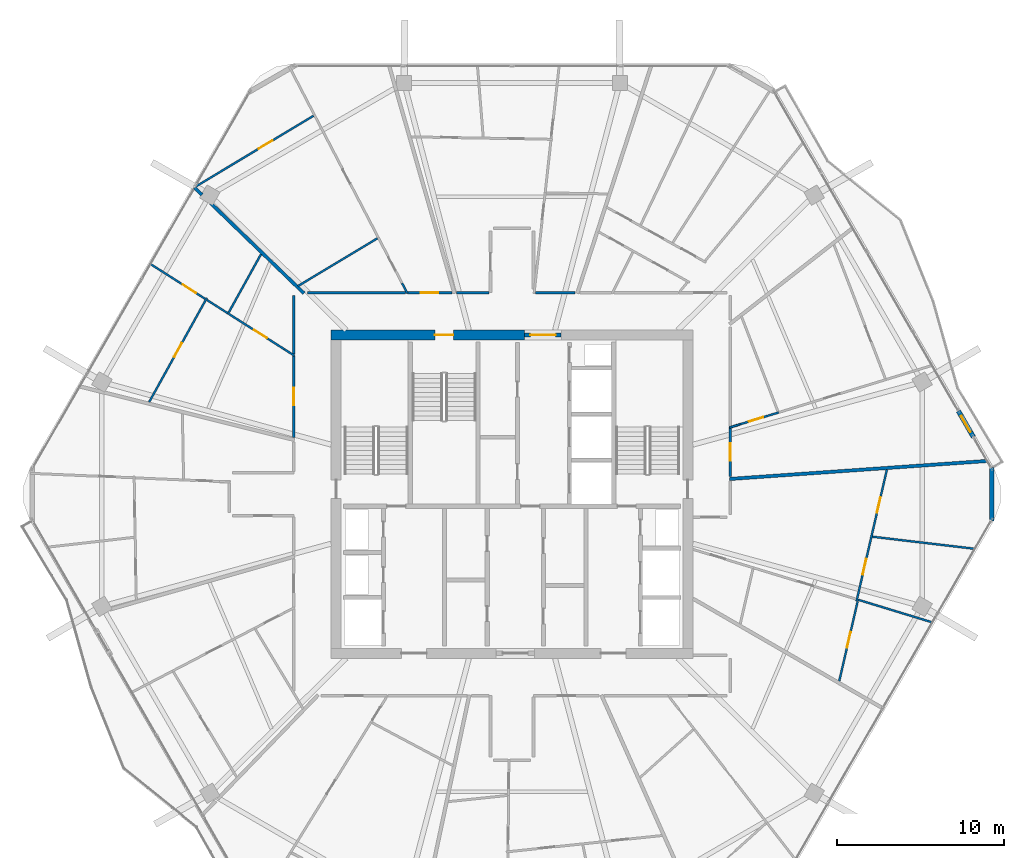
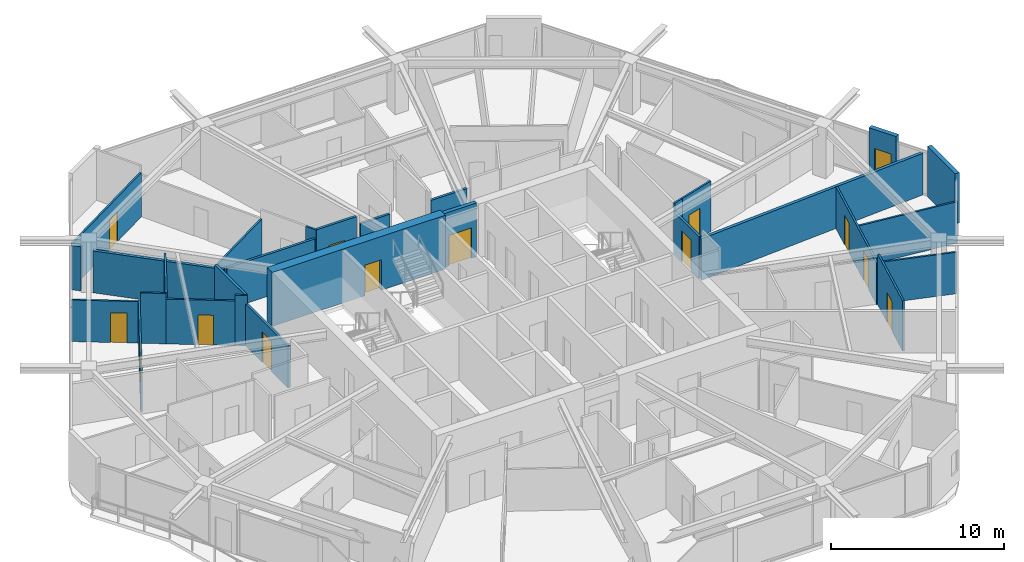
# One storey, part 21 of 26: 29 walls, 14 doors, 14 openings.
"""IFC4 building model written with IfcOpenShell, lengths in metres."""

from ifc_helpers import new_model, si_unit, direction, frame, frame_2d, origin, place, context, subcontext, project, spatial, rectangle, extrude, material, layer, layer_set, type_object, element, fill, save


model = new_model("IFC4")

# Units and contexts
model_context = context("Model", 3, precision=1e-05, world=origin(), true_north=direction((0.0, 1.0)))
body_context = subcontext(model_context, "Body", "Model", "MODEL_VIEW")
ifc_project = project(units=[si_unit("LENGTHUNIT", "METRE"), si_unit("AREAUNIT", "SQUARE_METRE"), si_unit("VOLUMEUNIT", "CUBIC_METRE"), si_unit("PLANEANGLEUNIT", "RADIAN"), si_unit("MASSUNIT", "GRAM", prefix="KILO")], contexts=[model_context])

# Site, building, storey
site_placement = place(None, origin())
site = spatial("IfcSite", under=ifc_project, at=site_placement, CompositionType="ELEMENT")
building_placement = place(site_placement, origin())
building = spatial("IfcBuilding", under=site, at=building_placement, Name="Zuhravey Tower", CompositionType="ELEMENT")
storey_placement = place(building_placement, frame((0.0, 0.0, 250.199951171875)))
storey = spatial("IfcBuildingStorey", under=building, at=storey_placement, Name="L63", CompositionType="ELEMENT", Elevation=250.199951171875)

# Wall, opening, door
ifc_material_1 = material(Name="Concrete C50/60", Category="concrete")
ifc_layer_1 = layer(ifc_material_1, 0.60009765625)
ifc_layer_set_1 = layer_set([ifc_layer_1], Name="Concrete C50/60")
wall_type_1 = type_object("IfcWallType", Name="Core Shear Wall 600", PredefinedType="SHEAR", material=ifc_layer_set_1)
wall_1_placement = place(storey_placement, frame((36.75, 41.5, 0.0), z_axis=(0.0, 0.0, 1.0), x_axis=(-1.0, 0.0, 0.0)))
wall_1 = element("IfcWall", 1, at=wall_1_placement, inside=storey, type_object=wall_type_1, Name="L63 North-West Core Shear Wall CW60", PredefinedType="SHEAR", context=body_context, shape_type="SweptSolid", body=[
    extrude(rectangle(XDim=11.550048828125, YDim=0.60009765625, at=frame_2d((5.77490234375, 0.0))), origin(), (0.0, 0.0, 1.0), 3.800048828125),
])
opening_1_placement = place(wall_1_placement, frame((4.25, 0.0, 0.0)))
opening_1 = element("IfcOpeningElement", 2, at=opening_1_placement, cuts=wall_1, Name="Opening STD1", PredefinedType="OPENING", context=body_context, shape_type="SweptSolid", body=[
    extrude(rectangle(XDim=1.10009765625, YDim=2.14990234375, at=frame_2d((0.550048828125, 1.074951171875))), frame((0.0, 0.31201171875, 0.0), z_axis=(0.0, -1.0, 0.0), x_axis=(1.0, 0.0, 0.0)), (0.0, 0.0, 1.0), 0.6240234375),
])
ifc_material_2 = material(Name="Galvanised fire-rated steel leaf", Category="steel")
door_type_1 = type_object("IfcDoorType", Name="Protected Stair Fire Door 1100x2150", OperationType="NOTDEFINED", PredefinedType="USERDEFINED", material=ifc_material_2)
door_1_placement = place(opening_1_placement, origin())
door_1 = element("IfcDoor", 3, at=door_1_placement, inside=storey, type_object=door_type_1, Name="L63 Stair ST3 Door", ObjectType="EXITDOOR", OperationType="SINGLE_SWING_RIGHT", OverallHeight=2.14990234375, OverallWidth=1.10009765625, PredefinedType="USERDEFINED", context=body_context, shape_type="SweptSolid", body=[
    extrude(rectangle(XDim=1.10009765625, YDim=2.14990234375, at=frame_2d((0.550048828125, 1.074951171875))), frame((0.0, 0.02490234375, 0.0), z_axis=(0.0, -1.0, 0.0), x_axis=(1.0, 0.0, 0.0)), (0.0, 0.0, 1.0), 0.050048828125),
])
fill(opening_1, door_1)

ifc_material_3 = material(Name="Gypsum fire-rated stud partition")
ifc_layer_2 = layer(ifc_material_3, 0.159912109375)
ifc_layer_set_2 = layer_set([ifc_layer_2], Name="Gypsum fire-rated stud partition")
wall_type_2 = type_object("IfcWallType", Name="Corridor Fire Partition 160", PredefinedType="PARTITIONING", material=ifc_layer_set_2)
wall_2_placement = place(storey_placement, frame((32.415771484375, 44.030029296875, 0.0), z_axis=(0.0, 0.0, 1.0), x_axis=(-1.0, 0.0, 0.0)))
wall_2 = element("IfcWall", 4, at=wall_2_placement, inside=storey, type_object=wall_type_2, Name="L63 IW16 Partition 024", PredefinedType="PARTITIONING", context=body_context, shape_type="SweptSolid", body=[
    extrude(rectangle(XDim=2.660888671875, YDim=0.159912109375, at=frame_2d((1.33056640625, 0.0))), origin(), (0.0, 0.0, 1.0), 3.550048828125),
])
opening_2_placement = place(wall_2_placement, frame((0.805419921875, 0.0, 0.0)))
opening_2 = element("IfcOpeningElement", 5, at=opening_2_placement, cuts=wall_2, Name="Opening APD1", PredefinedType="OPENING", context=body_context, shape_type="SweptSolid", body=[
    extrude(rectangle(XDim=1.050048828125, YDim=2.14990234375, at=frame_2d((0.52490234375, 1.074951171875))), frame((0.0, 0.092041015625, 0.0), z_axis=(0.0, -1.0, 0.0), x_axis=(1.0, 0.0, 0.0)), (0.0, 0.0, 1.0), 0.183837890625),
])
ifc_material_4 = material(Name="Solid-core oak fire-rated leaf")
door_type_2 = type_object("IfcDoorType", Name="Apartment Entrance Fire Door 1050x2150", OperationType="NOTDEFINED", PredefinedType="DOOR", material=ifc_material_4)
door_2_placement = place(opening_2_placement, frame((1.050048828125, 0.0, 0.0), z_axis=(0.0, 0.0, 1.0), x_axis=(-1.0, 0.0, 0.0)))
door_2 = element("IfcDoor", 6, at=door_2_placement, inside=storey, type_object=door_type_2, Name="L63 Door 024.1", OperationType="SINGLE_SWING_LEFT", OverallHeight=2.14990234375, OverallWidth=1.050048828125, PredefinedType="DOOR", context=body_context, shape_type="SweptSolid", body=[
    extrude(rectangle(XDim=1.050048828125, YDim=2.14990234375, at=frame_2d((0.52490234375, 1.074951171875))), frame((0.0, 0.02490234375, 0.0), z_axis=(0.0, -1.0, 0.0), x_axis=(1.0, 0.0, 0.0)), (0.0, 0.0, 1.0), 0.050048828125),
])
fill(opening_2, door_2)

wall_3_placement = place(storey_placement, frame((22.969970703125, 40.27099609375, 0.0), z_axis=(0.0, 0.0, 1.0), x_axis=(0.0, -1.0, 0.0)))
wall_3 = element("IfcWall", 7, at=wall_3_placement, inside=storey, type_object=wall_type_2, Name="L63 IW16 Partition 029", PredefinedType="PARTITIONING", context=body_context, shape_type="SweptSolid", body=[
    extrude(rectangle(XDim=4.880615234375, YDim=0.159912109375, at=frame_2d((2.4404296875, 0.0))), origin(), (0.0, 0.0, 1.0), 2.949951171875),
])
opening_3_placement = place(wall_3_placement, frame((1.915283203125, 0.0, 0.0)))
opening_3 = element("IfcOpeningElement", 8, at=opening_3_placement, cuts=wall_3, Name="Opening APD1", PredefinedType="OPENING", context=body_context, shape_type="SweptSolid", body=[
    extrude(rectangle(XDim=1.050048828125, YDim=2.14990234375, at=frame_2d((0.52490234375, 1.074951171875))), frame((0.0, 0.092041015625, 0.0), z_axis=(0.0, -1.0, 0.0), x_axis=(1.0, 0.0, 0.0)), (0.0, 0.0, 1.0), 0.183837890625),
])
door_3_placement = place(opening_3_placement, frame((1.050048828125, 0.0, 0.0), z_axis=(0.0, 0.0, 1.0), x_axis=(-1.0, 0.0, 0.0)))
door_3 = element("IfcDoor", 9, at=door_3_placement, inside=storey, type_object=door_type_2, Name="L63 Door 029.1", OperationType="SINGLE_SWING_LEFT", OverallHeight=2.14990234375, OverallWidth=1.050048828125, PredefinedType="DOOR", context=body_context, shape_type="SweptSolid", body=[
    extrude(rectangle(XDim=1.050048828125, YDim=2.14990234375, at=frame_2d((0.52490234375, 1.074951171875))), frame((0.0, 0.02490234375, 0.0), z_axis=(0.0, -1.0, 0.0), x_axis=(1.0, 0.0, 0.0)), (0.0, 0.0, 1.0), 0.050048828125),
])
fill(opening_3, door_3)

wall_4_placement = place(storey_placement, frame((49.030029296875, 33.04541015625, 0.0), z_axis=(0.0, 0.0, 1.0), x_axis=(0.0, 1.0, 0.0)))
wall_4 = element("IfcWall", 10, at=wall_4_placement, inside=storey, type_object=wall_type_2, Name="L63 IW16 Partition 060", PredefinedType="PARTITIONING", context=body_context, shape_type="SweptSolid", body=[
    extrude(rectangle(XDim=2.92724609375, YDim=0.159912109375, at=frame_2d((1.463623046875, 0.0))), origin(), (0.0, 0.0, 1.0), 2.949951171875),
])
opening_4_placement = place(wall_4_placement, frame((0.938720703125, 0.0, 0.0)))
opening_4 = element("IfcOpeningElement", 11, at=opening_4_placement, cuts=wall_4, Name="Opening APD1", PredefinedType="OPENING", context=body_context, shape_type="SweptSolid", body=[
    extrude(rectangle(XDim=1.050048828125, YDim=2.14990234375, at=frame_2d((0.52490234375, 1.074951171875))), frame((0.0, 0.092041015625, 0.0), z_axis=(0.0, -1.0, 0.0), x_axis=(1.0, 0.0, 0.0)), (0.0, 0.0, 1.0), 0.183837890625),
])
door_4_placement = place(opening_4_placement, frame((1.050048828125, 0.0, 0.0), z_axis=(0.0, 0.0, 1.0), x_axis=(-1.0, 0.0, 0.0)))
door_4 = element("IfcDoor", 12, at=door_4_placement, inside=storey, type_object=door_type_2, Name="L63 Door 060.1", OperationType="SINGLE_SWING_LEFT", OverallHeight=2.14990234375, OverallWidth=1.050048828125, PredefinedType="DOOR", context=body_context, shape_type="SweptSolid", body=[
    extrude(rectangle(XDim=1.050048828125, YDim=2.14990234375, at=frame_2d((0.52490234375, 1.074951171875))), frame((0.0, 0.02490234375, 0.0), z_axis=(0.0, -1.0, 0.0), x_axis=(1.0, 0.0, 0.0)), (0.0, 0.0, 1.0), 0.050048828125),
])
fill(opening_4, door_4)

# Walls
wall_5_placement = place(storey_placement, frame((29.655517578125, 44.030029296875, 0.0), z_axis=(0.0, 0.0, 1.0), x_axis=(-1.0, 0.0, 0.0)))
element("IfcWall", 13, at=wall_5_placement, inside=storey, type_object=wall_type_2, Name="L63 IW16 Partition 122", PredefinedType="PARTITIONING", context=body_context, shape_type="SweptSolid", body=[
    extrude(rectangle(XDim=5.868896484375, YDim=0.159912109375, at=frame_2d((2.9345703125, 0.0))), origin(), (0.0, 0.0, 1.0), 2.949951171875),
])
wall_6_placement = place(storey_placement, frame((22.969970703125, 43.85009765625, 0.0), z_axis=(0.0, 0.0, 1.0), x_axis=(0.0, -1.0, 0.0)))
element("IfcWall", 14, at=wall_6_placement, inside=storey, type_object=wall_type_2, Name="L63 IW16 Partition 123", PredefinedType="PARTITIONING", context=body_context, shape_type="SweptSolid", body=[
    extrude(rectangle(XDim=3.474853515625, YDim=0.159912109375, at=frame_2d((1.7373046875, 0.0))), origin(), (0.0, 0.0, 1.0), 3.550048828125),
])
wall_7_placement = place(storey_placement, frame((34.632080078125, 44.030029296875, 0.0), z_axis=(0.0, 0.0, 1.0), x_axis=(-1.0, 0.0, 0.0)))
element("IfcWall", 15, at=wall_7_placement, inside=storey, type_object=wall_type_2, Name="L63 IW16 Partition 145", PredefinedType="PARTITIONING", context=body_context, shape_type="SweptSolid", body=[
    extrude(rectangle(XDim=1.947509765625, YDim=0.159912109375, at=frame_2d((0.9736328125, 0.0))), origin(), (0.0, 0.0, 1.0), 2.949951171875),
])
wall_8_placement = place(storey_placement, frame((39.772216796875, 44.030029296875, 0.0), z_axis=(0.0, 0.0, 1.0), x_axis=(-1.0, 0.0, 0.0)))
element("IfcWall", 16, at=wall_8_placement, inside=storey, type_object=wall_type_2, Name="L63 IW16 Partition 146", PredefinedType="PARTITIONING", context=body_context, shape_type="SweptSolid", body=[
    extrude(rectangle(XDim=2.380126953125, YDim=0.159912109375, at=frame_2d((1.18994140625, 0.0))), origin(), (0.0, 0.0, 1.0), 2.949951171875),
])

# Wall, opening, door
ifc_material_5 = material(Name="Precast concrete C40/50", Category="concrete")
ifc_layer_3 = layer(ifc_material_5, 0.280029296875)
ifc_layer_set_3 = layer_set([ifc_layer_3], Name="Precast concrete C40/50")
wall_type_3 = type_object("IfcWallType", Name="Crown Architectural Wall 280", PredefinedType="SOLIDWALL", material=ifc_layer_set_3)
wall_9_placement = place(storey_placement, frame((62.6494140625, 36.968994140625, 0.0), z_axis=(0.0, 0.0, 1.0), x_axis=(0.500041240653, -0.866001592173, 0.0)))
wall_9 = element("IfcWall", 17, at=wall_9_placement, inside=storey, type_object=wall_type_3, Name="L63 Face 1 Facade Pier EW28-1", PredefinedType="SOLIDWALL", context=body_context, shape_type="SweptSolid", body=[
    extrude(rectangle(XDim=1.789794921875, YDim=0.280029296875, at=frame_2d((0.89501953125, 0.0))), origin(), (0.0, 0.0, 1.0), 3.550048828125),
])
opening_5_placement = place(wall_9_placement, frame((0.344970703125, 0.0, 0.0)))
opening_5 = element("IfcOpeningElement", 18, at=opening_5_placement, cuts=wall_9, Name="Opening BLD1", PredefinedType="OPENING", context=body_context, shape_type="SweptSolid", body=[
    extrude(rectangle(XDim=1.10009765625, YDim=2.199951171875, at=frame_2d((0.550048828125, 1.10009765625))), frame((0.0, 0.152099609375, 0.0), z_axis=(0.0, -1.0, 0.0), x_axis=(1.0, 0.0, 0.0)), (0.0, 0.0, 1.0), 0.303955078125),
])
ifc_material_6 = material(Name="Thermally broken aluminium and low-E glass", Category="aluminium")
door_type_3 = type_object("IfcDoorType", Name="Balcony & Sky-Tray Glazed Door 1100x2200", OperationType="NOTDEFINED", PredefinedType="DOOR", material=ifc_material_6)
door_5_placement = place(opening_5_placement, frame((1.10009765625, 0.0, 0.0), z_axis=(0.0, 0.0, 1.0), x_axis=(-1.0, 0.0, 0.0)))
door_5 = element("IfcDoor", 19, at=door_5_placement, inside=storey, type_object=door_type_3, Name="L63 Face 1 Wave Balcony Door", OperationType="SINGLE_SWING_RIGHT", OverallHeight=2.199951171875, OverallWidth=1.10009765625, PredefinedType="DOOR", context=body_context, shape_type="SweptSolid", body=[
    extrude(rectangle(XDim=1.10009765625, YDim=2.199951171875, at=frame_2d((0.550048828125, 1.10009765625))), frame((0.0, 0.02490234375, 0.0), z_axis=(0.0, -1.0, 0.0), x_axis=(1.0, 0.0, 0.0)), (0.0, 0.0, 1.0), 0.050048828125),
])
fill(opening_5, door_5)

# Wall
wall_10_placement = place(storey_placement, frame((64.64501953125, 33.607421875, 0.0), z_axis=(0.0, 0.0, 1.0), x_axis=(0.0, -1.0, 0.0)))
element("IfcWall", 20, at=wall_10_placement, inside=storey, type_object=wall_type_3, Name="L63 Rounded Corner Closure Wall EW28-12", PredefinedType="SOLIDWALL", context=body_context, shape_type="SweptSolid", body=[
    extrude(rectangle(XDim=3.21484375, YDim=0.280029296875, at=frame_2d((1.607421875, 0.0))), origin(), (0.0, 0.0, 1.0), 3.550048828125),
])

# Wall, opening, door
ifc_layer_4 = layer(ifc_material_1, 0.25)
ifc_layer_set_4 = layer_set([ifc_layer_4], Name="Concrete C50/60")
wall_type_4 = type_object("IfcWallType", Name="Firefighting Shaft & Stair Wall 250", PredefinedType="SOLIDWALL", material=ifc_layer_set_4)
wall_11_placement = place(storey_placement, frame((36.760009765625, 41.5, 0.0), z_axis=(0.0, 0.0, 1.0), x_axis=(1.0, 0.0, 0.0)))
wall_11 = element("IfcWall", 21, at=wall_11_placement, inside=storey, type_object=wall_type_4, Name="L63 FW25 Shaft Wall 002", PredefinedType="SOLIDWALL", context=body_context, shape_type="SweptSolid", body=[
    extrude(rectangle(XDim=2.179931640625, YDim=0.25, at=frame_2d((1.08984375, 0.0))), origin(), (0.0, 0.0, 1.0), 3.800048828125),
])
opening_6_placement = place(wall_11_placement, frame((0.340087890625, 0.0, 0.0)))
opening_6 = element("IfcOpeningElement", 22, at=opening_6_placement, cuts=wall_11, Name="Opening FFD1", PredefinedType="OPENING", context=body_context, shape_type="SweptSolid", body=[
    extrude(rectangle(XDim=1.5, YDim=2.14990234375, at=frame_2d((0.75, 1.074951171875))), frame((0.0, 0.136962890625, 0.0), z_axis=(0.0, -1.0, 0.0), x_axis=(1.0, 0.0, 0.0)), (0.0, 0.0, 1.0), 0.27392578125),
])
door_type_4 = type_object("IfcDoorType", Name="Firefighting Lobby Double Door 1500x2150", OperationType="DOUBLE_DOOR_SINGLE_SWING", PredefinedType="DOOR", material=ifc_material_2)
door_6_placement = place(opening_6_placement, origin())
door_6 = element("IfcDoor", 23, at=door_6_placement, inside=storey, type_object=door_type_4, Name="L63 North Lift Lobby Exit Door", OperationType="DOUBLE_DOOR_SINGLE_SWING", OverallHeight=2.14990234375, OverallWidth=1.5, PredefinedType="DOOR", context=body_context, shape_type="SweptSolid", body=[
    extrude(rectangle(XDim=1.5, YDim=2.14990234375, at=frame_2d((0.75, 1.074951171875))), frame((0.0, 0.02490234375, 0.0), z_axis=(0.0, -1.0, 0.0), x_axis=(1.0, 0.0, 0.0)), (0.0, 0.0, 1.0), 0.050048828125),
])
fill(opening_6, door_6)

# Walls
ifc_material_7 = material(Name="Gypsum double-stud party assembly")
ifc_layer_5 = layer(ifc_material_7, 0.199951171875)
ifc_layer_set_5 = layer_set([ifc_layer_5], Name="Gypsum double-stud party assembly")
wall_type_5 = type_object("IfcWallType", Name="Inter-Tenancy Party Wall 200", PredefinedType="PARTITIONING", material=ifc_layer_set_5)
wall_12_placement = place(storey_placement, frame((23.583984375, 43.989990234375, 0.0), z_axis=(0.0, 0.0, 1.0), x_axis=(-0.719338080926, 0.694660150958, 0.0)))
element("IfcWall", 24, at=wall_12_placement, inside=storey, type_object=wall_type_5, Name="L63 IW20 Partition 078", PredefinedType="PARTITIONING", context=body_context, shape_type="SweptSolid", body=[
    extrude(rectangle(XDim=7.76611328125, YDim=0.199951171875, at=frame_2d((3.883056640625, 0.0))), origin(), (0.0, 0.0, 1.0), 2.949951171875),
])
wall_13_placement = place(storey_placement, frame((17.486328125, 49.87841796875, 0.0), z_axis=(0.0, 0.0, 1.0), x_axis=(-0.719422178176, 0.694573055587, 0.0)))
element("IfcWall", 25, at=wall_13_placement, inside=storey, type_object=wall_type_5, Name="L63 IW20 Partition 079", PredefinedType="PARTITIONING", context=body_context, shape_type="SweptSolid", body=[
    extrude(rectangle(XDim=0.609130859375, YDim=0.199951171875, at=frame_2d((0.3046875, 0.0))), origin(), (0.0, 0.0, 1.0), 3.1220703125),
])
wall_14_placement = place(storey_placement, frame((48.989990234375, 32.908203125, 0.0), z_axis=(0.0, 0.0, 1.0), x_axis=(0.997563993595, 0.069757284087, 0.0)))
element("IfcWall", 26, at=wall_14_placement, inside=storey, type_object=wall_type_5, Name="L63 IW20 Partition 108", PredefinedType="PARTITIONING", context=body_context, shape_type="SweptSolid", body=[
    extrude(rectangle(XDim=15.42041015625, YDim=0.199951171875, at=frame_2d((7.710205078125, 0.0))), origin(), (0.0, 0.0, 1.0), 2.929931640625),
])

# Wall, opening, door
ifc_material_8 = material(Name="Gypsum metal-stud partition")
ifc_layer_6 = layer(ifc_material_8, 0.1201171875)
ifc_layer_set_6 = layer_set([ifc_layer_6], Name="Gypsum metal-stud partition")
wall_type_6 = type_object("IfcWallType", Name="Unit Internal Partition 120", PredefinedType="PARTITIONING", material=ifc_layer_set_6)
wall_15_placement = place(storey_placement, frame((24.152099609375, 54.59326171875, 0.0), z_axis=(0.0, 0.0, 1.0), x_axis=(-0.857165830908, -0.51504052105, 0.0)))
wall_15 = element("IfcWall", 27, at=wall_15_placement, inside=storey, type_object=wall_type_6, Name="L63 IW12 Partition 023", PredefinedType="PARTITIONING", context=body_context, shape_type="SweptSolid", body=[
    extrude(rectangle(XDim=8.170654296875, YDim=0.1201171875, at=frame_2d((4.08544921875, 0.0))), origin(), (0.0, 0.0, 1.0), 3.1220703125),
])
opening_7_placement = place(wall_15_placement, frame((2.8662109375, 0.0, 0.0)))
opening_7 = element("IfcOpeningElement", 28, at=opening_7_placement, cuts=wall_15, Name="Opening IND1", PredefinedType="OPENING", context=body_context, shape_type="SweptSolid", body=[
    extrude(rectangle(XDim=0.949951171875, YDim=2.10009765625, at=frame_2d((0.47509765625, 1.050048828125))), frame((0.0, 0.072021484375, 0.0), z_axis=(0.0, -1.0, 0.0), x_axis=(1.0, 0.0, 0.0)), (0.0, 0.0, 1.0), 0.14404296875),
])
ifc_material_9 = material(Name="Painted engineered timber leaf", Category="wood")
door_type_5 = type_object("IfcDoorType", Name="Internal Room & Bedroom Door 950x2100", OperationType="NOTDEFINED", PredefinedType="DOOR", material=ifc_material_9)
door_7_placement = place(opening_7_placement, frame((0.949951171875, 0.0, 0.0), z_axis=(0.0, 0.0, 1.0), x_axis=(-1.0, 0.0, 0.0)))
door_7 = element("IfcDoor", 29, at=door_7_placement, inside=storey, type_object=door_type_5, Name="Apartment L63-01 Kitchen Door", OperationType="SINGLE_SWING_RIGHT", OverallHeight=2.10009765625, OverallWidth=0.949951171875, PredefinedType="DOOR", context=body_context, shape_type="SweptSolid", body=[
    extrude(rectangle(XDim=0.949951171875, YDim=2.10009765625, at=frame_2d((0.47509765625, 1.050048828125))), frame((0.0, 0.02490234375, 0.0), z_axis=(0.0, -1.0, 0.0), x_axis=(1.0, 0.0, 0.0)), (0.0, 0.0, 1.0), 0.050048828125),
])
fill(opening_7, door_7)

wall_16_placement = place(storey_placement, frame((17.781494140625, 43.716064453125, 0.0), z_axis=(0.0, 0.0, 1.0), x_axis=(-0.484799862098, -0.874625116098, 0.0)))
wall_16 = element("IfcWall", 30, at=wall_16_placement, inside=storey, type_object=wall_type_6, Name="L63 IW12 Partition 025", PredefinedType="PARTITIONING", context=body_context, shape_type="SweptSolid", body=[
    extrude(rectangle(XDim=7.107666015625, YDim=0.1201171875, at=frame_2d((3.5537109375, 0.0))), origin(), (0.0, 0.0, 1.0), 2.949951171875),
])
opening_8_placement = place(wall_16_placement, frame((3.078857421875, 0.0, 0.0)))
opening_8 = element("IfcOpeningElement", 31, at=opening_8_placement, cuts=wall_16, Name="Opening IND1", PredefinedType="OPENING", context=body_context, shape_type="SweptSolid", body=[
    extrude(rectangle(XDim=0.949951171875, YDim=2.10009765625, at=frame_2d((0.47509765625, 1.050048828125))), frame((0.0, 0.072021484375, 0.0), z_axis=(0.0, -1.0, 0.0), x_axis=(1.0, 0.0, 0.0)), (0.0, 0.0, 1.0), 0.14404296875),
])
door_8_placement = place(opening_8_placement, frame((0.949951171875, 0.0, 0.0), z_axis=(0.0, 0.0, 1.0), x_axis=(-1.0, 0.0, 0.0)))
door_8 = element("IfcDoor", 32, at=door_8_placement, inside=storey, type_object=door_type_5, Name="Apartment L63-02 Family Study Door", OperationType="SINGLE_SWING_RIGHT", OverallHeight=2.10009765625, OverallWidth=0.949951171875, PredefinedType="DOOR", context=body_context, shape_type="SweptSolid", body=[
    extrude(rectangle(XDim=0.949951171875, YDim=2.10009765625, at=frame_2d((0.47509765625, 1.050048828125))), frame((0.0, 0.02490234375, 0.0), z_axis=(0.0, -1.0, 0.0), x_axis=(1.0, 0.0, 0.0)), (0.0, 0.0, 1.0), 0.050048828125),
])
fill(opening_8, door_8)

wall_17_placement = place(storey_placement, frame((22.39990234375, 40.657470703125, 0.0), z_axis=(0.0, 0.0, 1.0), x_axis=(-0.843568310758, 0.537021885109, 0.0)))
wall_17 = element("IfcWall", 33, at=wall_17_placement, inside=storey, type_object=wall_type_6, Name="L63 IW12 Partition 026", PredefinedType="PARTITIONING", context=body_context, shape_type="SweptSolid", body=[
    extrude(rectangle(XDim=3.992431640625, YDim=0.1201171875, at=frame_2d((1.99609375, 0.0))), origin(), (0.0, 0.0, 1.0), 3.150146484375),
])
opening_9_placement = place(wall_17_placement, frame((1.226806640625, 0.0, 0.0)))
opening_9 = element("IfcOpeningElement", 34, at=opening_9_placement, cuts=wall_17, Name="Opening WCD1", PredefinedType="OPENING", context=body_context, shape_type="SweptSolid", body=[
    extrude(rectangle(XDim=0.89990234375, YDim=2.10009765625, at=frame_2d((0.449951171875, 1.050048828125))), frame((0.0, 0.072021484375, 0.0), z_axis=(0.0, -1.0, 0.0), x_axis=(1.0, 0.0, 0.0)), (0.0, 0.0, 1.0), 0.14404296875),
])
ifc_material_10 = material(Name="Moisture-resistant timber leaf", Category="wood")
door_type_6 = type_object("IfcDoorType", Name="Bathroom & WC Internal Door 900x2100", OperationType="NOTDEFINED", PredefinedType="DOOR", material=ifc_material_10)
door_9_placement = place(opening_9_placement, frame((0.89990234375, 0.0, 0.0), z_axis=(0.0, 0.0, 1.0), x_axis=(-1.0, 0.0, 0.0)))
door_9 = element("IfcDoor", 35, at=door_9_placement, inside=storey, type_object=door_type_6, Name="Apartment L63-02 Bathroom Door", OperationType="SINGLE_SWING_LEFT", OverallHeight=2.10009765625, OverallWidth=0.89990234375, PredefinedType="DOOR", context=body_context, shape_type="SweptSolid", body=[
    extrude(rectangle(XDim=0.89990234375, YDim=2.10009765625, at=frame_2d((0.449951171875, 1.050048828125))), frame((0.0, 0.02490234375, 0.0), z_axis=(0.0, -1.0, 0.0), x_axis=(1.0, 0.0, 0.0)), (0.0, 0.0, 1.0), 0.050048828125),
])
fill(opening_9, door_9)

# Wall
wall_18_placement = place(storey_placement, frame((19.031982421875, 42.801513671875, 0.0), z_axis=(0.0, 0.0, 1.0), x_axis=(-0.843627335813, 0.536929155727, 0.0)))
element("IfcWall", 36, at=wall_18_placement, inside=storey, type_object=wall_type_6, Name="L63 IW12 Partition 027", PredefinedType="PARTITIONING", context=body_context, shape_type="SweptSolid", body=[
    extrude(rectangle(XDim=1.471923828125, YDim=0.1201171875, at=frame_2d((0.73583984375, 0.0))), origin(), (0.0, 0.0, 1.0), 3.550048828125),
])

# Wall, opening, door
wall_19_placement = place(storey_placement, frame((17.675537109375, 43.6650390625, 0.0), z_axis=(0.0, 0.0, 1.0), x_axis=(-0.843578359507, 0.537006099939, 0.0)))
wall_19 = element("IfcWall", 37, at=wall_19_placement, inside=storey, type_object=wall_type_6, Name="L63 IW12 Partition 028", PredefinedType="PARTITIONING", context=body_context, shape_type="SweptSolid", body=[
    extrude(rectangle(XDim=3.870361328125, YDim=0.1201171875, at=frame_2d((1.93505859375, 0.0))), origin(), (0.0, 0.0, 1.0), 2.929931640625),
])
opening_10_placement = place(wall_19_placement, frame((0.631103515625, 0.0, 0.0)))
opening_10 = element("IfcOpeningElement", 38, at=opening_10_placement, cuts=wall_19, Name="Opening IND1", PredefinedType="OPENING", context=body_context, shape_type="SweptSolid", body=[
    extrude(rectangle(XDim=0.949951171875, YDim=2.10009765625, at=frame_2d((0.47509765625, 1.050048828125))), frame((0.0, 0.072021484375, 0.0), z_axis=(0.0, -1.0, 0.0), x_axis=(1.0, 0.0, 0.0)), (0.0, 0.0, 1.0), 0.14404296875),
])
door_10_placement = place(opening_10_placement, frame((0.949951171875, 0.0, 0.0), z_axis=(0.0, 0.0, 1.0), x_axis=(-1.0, 0.0, 0.0)))
door_10 = element("IfcDoor", 39, at=door_10_placement, inside=storey, type_object=door_type_5, Name="Apartment L63-02 Kitchen Door", OperationType="SINGLE_SWING_RIGHT", OverallHeight=2.10009765625, OverallWidth=0.949951171875, PredefinedType="DOOR", context=body_context, shape_type="SweptSolid", body=[
    extrude(rectangle(XDim=0.949951171875, YDim=2.10009765625, at=frame_2d((0.47509765625, 1.050048828125))), frame((0.0, 0.02490234375, 0.0), z_axis=(0.0, -1.0, 0.0), x_axis=(1.0, 0.0, 0.0)), (0.0, 0.0, 1.0), 0.050048828125),
])
fill(opening_10, door_10)

# Wall, openings, doors
wall_20_placement = place(storey_placement, frame((56.5712890625, 25.621826171875, 0.0), z_axis=(0.0, 0.0, 1.0), x_axis=(0.224956917684, 0.974368711108, 0.0)))
wall_20 = element("IfcWall", 40, at=wall_20_placement, inside=storey, type_object=wall_type_6, Name="L63 IW12 Partition 052", PredefinedType="PARTITIONING", context=body_context, shape_type="SweptSolid", body=[
    extrude(rectangle(XDim=8.053955078125, YDim=0.1201171875, at=frame_2d((4.02685546875, 0.0))), origin(), (0.0, 0.0, 1.0), 2.949951171875),
])
opening_11_placement = place(wall_20_placement, frame((1.619384765625, 0.0, 0.0)))
opening_11 = element("IfcOpeningElement", 41, at=opening_11_placement, cuts=wall_20, Name="Opening IND1", PredefinedType="OPENING", context=body_context, shape_type="SweptSolid", body=[
    extrude(rectangle(XDim=0.949951171875, YDim=2.10009765625, at=frame_2d((0.47509765625, 1.050048828125))), frame((0.0, 0.072021484375, 0.0), z_axis=(0.0, -1.0, 0.0), x_axis=(1.0, 0.0, 0.0)), (0.0, 0.0, 1.0), 0.14404296875),
])
opening_12_placement = place(wall_20_placement, frame((5.405517578125, 0.0, 0.0)))
opening_12 = element("IfcOpeningElement", 42, at=opening_12_placement, cuts=wall_20, Name="Opening IND1", PredefinedType="OPENING", context=body_context, shape_type="SweptSolid", body=[
    extrude(rectangle(XDim=0.949951171875, YDim=2.10009765625, at=frame_2d((0.47509765625, 1.050048828125))), frame((0.0, 0.072021484375, 0.0), z_axis=(0.0, -1.0, 0.0), x_axis=(1.0, 0.0, 0.0)), (0.0, 0.0, 1.0), 0.14404296875),
])
door_11_placement = place(opening_11_placement, frame((0.949951171875, 0.0, 0.0), z_axis=(0.0, 0.0, 1.0), x_axis=(-1.0, 0.0, 0.0)))
door_11 = element("IfcDoor", 43, at=door_11_placement, inside=storey, type_object=door_type_5, Name="Apartment L63-08 Family Study Door", OperationType="SINGLE_SWING_RIGHT", OverallHeight=2.10009765625, OverallWidth=0.949951171875, PredefinedType="DOOR", context=body_context, shape_type="SweptSolid", body=[
    extrude(rectangle(XDim=0.949951171875, YDim=2.10009765625, at=frame_2d((0.47509765625, 1.050048828125))), frame((0.0, 0.02490234375, 0.0), z_axis=(0.0, -1.0, 0.0), x_axis=(1.0, 0.0, 0.0)), (0.0, 0.0, 1.0), 0.050048828125),
])
fill(opening_11, door_11)
door_12_placement = place(opening_12_placement, frame((0.949951171875, 0.0, 0.0), z_axis=(0.0, 0.0, 1.0), x_axis=(-1.0, 0.0, 0.0)))
door_12 = element("IfcDoor", 44, at=door_12_placement, inside=storey, type_object=door_type_5, Name="Apartment L63-08 Dining Room Door", OperationType="SINGLE_SWING_LEFT", OverallHeight=2.10009765625, OverallWidth=0.949951171875, PredefinedType="DOOR", context=body_context, shape_type="SweptSolid", body=[
    extrude(rectangle(XDim=0.949951171875, YDim=2.10009765625, at=frame_2d((0.47509765625, 1.050048828125))), frame((0.0, 0.02490234375, 0.0), z_axis=(0.0, -1.0, 0.0), x_axis=(1.0, 0.0, 0.0)), (0.0, 0.0, 1.0), 0.050048828125),
])
fill(opening_12, door_12)

# Wall, opening, door
wall_21_placement = place(storey_placement, frame((55.535400390625, 20.83251953125, 0.0), z_axis=(0.0, 0.0, 1.0), x_axis=(0.224979599368, 0.974363474207, 0.0)))
wall_21 = element("IfcWall", 45, at=wall_21_placement, inside=storey, type_object=wall_type_6, Name="L63 IW12 Partition 055", PredefinedType="PARTITIONING", context=body_context, shape_type="SweptSolid", body=[
    extrude(rectangle(XDim=4.8994140625, YDim=0.1201171875, at=frame_2d((2.44970703125, 0.0))), origin(), (0.0, 0.0, 1.0), 3.550048828125),
])
opening_13_placement = place(wall_21_placement, frame((2.07275390625, 0.0, 0.0)))
opening_13 = element("IfcOpeningElement", 46, at=opening_13_placement, cuts=wall_21, Name="Opening IND1", PredefinedType="OPENING", context=body_context, shape_type="SweptSolid", body=[
    extrude(rectangle(XDim=0.949951171875, YDim=2.10009765625, at=frame_2d((0.47509765625, 1.050048828125))), frame((0.0, 0.072021484375, 0.0), z_axis=(0.0, -1.0, 0.0), x_axis=(1.0, 0.0, 0.0)), (0.0, 0.0, 1.0), 0.14404296875),
])
door_13_placement = place(opening_13_placement, frame((0.949951171875, 0.0, 0.0), z_axis=(0.0, 0.0, 1.0), x_axis=(-1.0, 0.0, 0.0)))
door_13 = element("IfcDoor", 47, at=door_13_placement, inside=storey, type_object=door_type_5, Name="Apartment L63-08 Bedroom 1 Door", OperationType="SINGLE_SWING_RIGHT", OverallHeight=2.10009765625, OverallWidth=0.949951171875, PredefinedType="DOOR", context=body_context, shape_type="SweptSolid", body=[
    extrude(rectangle(XDim=0.949951171875, YDim=2.10009765625, at=frame_2d((0.47509765625, 1.050048828125))), frame((0.0, 0.02490234375, 0.0), z_axis=(0.0, -1.0, 0.0), x_axis=(1.0, 0.0, 0.0)), (0.0, 0.0, 1.0), 0.050048828125),
])
fill(opening_13, door_13)

wall_22_placement = place(storey_placement, frame((49.60009765625, 36.168212890625, 0.0), z_axis=(0.0, 0.0, 1.0), x_axis=(0.956099580732, 0.293041962395, 0.0)))
wall_22 = element("IfcWall", 48, at=wall_22_placement, inside=storey, type_object=wall_type_6, Name="L63 IW12 Partition 057", PredefinedType="PARTITIONING", context=body_context, shape_type="SweptSolid", body=[
    extrude(rectangle(XDim=2.4326171875, YDim=0.1201171875, at=frame_2d((1.21630859375, 0.0))), origin(), (0.0, 0.0, 1.0), 3.550048828125),
])
opening_14_placement = place(wall_22_placement, frame((0.57177734375, 0.0, 0.0)))
opening_14 = element("IfcOpeningElement", 49, at=opening_14_placement, cuts=wall_22, Name="Opening WCD1", PredefinedType="OPENING", context=body_context, shape_type="SweptSolid", body=[
    extrude(rectangle(XDim=0.89990234375, YDim=2.10009765625, at=frame_2d((0.449951171875, 1.050048828125))), frame((0.0, 0.072021484375, 0.0), z_axis=(0.0, -1.0, 0.0), x_axis=(1.0, 0.0, 0.0)), (0.0, 0.0, 1.0), 0.14404296875),
])
door_14_placement = place(opening_14_placement, origin())
door_14 = element("IfcDoor", 50, at=door_14_placement, inside=storey, type_object=door_type_6, Name="Apartment L63-09 Bathroom Door", OperationType="SINGLE_SWING_RIGHT", OverallHeight=2.10009765625, OverallWidth=0.89990234375, PredefinedType="DOOR", context=body_context, shape_type="SweptSolid", body=[
    extrude(rectangle(XDim=0.89990234375, YDim=2.10009765625, at=frame_2d((0.449951171875, 1.050048828125))), frame((0.0, 0.02490234375, 0.0), z_axis=(0.0, -1.0, 0.0), x_axis=(1.0, 0.0, 0.0)), (0.0, 0.0, 1.0), 0.050048828125),
])
fill(opening_14, door_14)

# Walls
wall_23_placement = place(storey_placement, frame((29.754150390625, 43.98779296875, 0.0), z_axis=(0.0, 0.0, 1.0), x_axis=(-0.461864870983, 0.886950303541, 0.0)))
element("IfcWall", 51, at=wall_23_placement, inside=storey, type_object=wall_type_6, Name="L63 IW12 Partition 075", PredefinedType="PARTITIONING", context=body_context, shape_type="SweptSolid", body=[
    extrude(rectangle(XDim=0.6904296875, YDim=0.1201171875, at=frame_2d((0.34521484375, 0.0))), origin(), (0.0, 0.0, 1.0), 3.550048828125),
])
wall_24_placement = place(storey_placement, frame((27.96435546875, 47.27587890625, 0.0), z_axis=(0.0, 0.0, 1.0), x_axis=(-0.857162223485, -0.515046524724, 0.0)))
element("IfcWall", 52, at=wall_24_placement, inside=storey, type_object=wall_type_6, Name="L63 IW12 Partition 077", PredefinedType="PARTITIONING", context=body_context, shape_type="SweptSolid", body=[
    extrude(rectangle(XDim=5.539794921875, YDim=0.1201171875, at=frame_2d((2.77001953125, 0.0))), origin(), (0.0, 0.0, 1.0), 2.949951171875),
])
wall_25_placement = place(storey_placement, frame((23.00732421875, 40.27099609375, 0.0), z_axis=(0.0, 0.0, 1.0), x_axis=(-0.843703375108, 0.536809663503, 0.0)))
element("IfcWall", 53, at=wall_25_placement, inside=storey, type_object=wall_type_6, Name="L63 IW12 Partition 080", PredefinedType="PARTITIONING", context=body_context, shape_type="SweptSolid", body=[
    extrude(rectangle(XDim=0.719970703125, YDim=0.1201171875, at=frame_2d((0.35986328125, 0.0))), origin(), (0.0, 0.0, 1.0), 3.550048828125),
])
wall_26_placement = place(storey_placement, frame((21.0126953125, 46.322998046875, 0.0), z_axis=(0.0, 0.0, 1.0), x_axis=(-0.484828920672, -0.874609008461, 0.0)))
element("IfcWall", 54, at=wall_26_placement, inside=storey, type_object=wall_type_6, Name="L63 IW12 Partition 081", PredefinedType="PARTITIONING", context=body_context, shape_type="SweptSolid", body=[
    extrude(rectangle(XDim=3.9736328125, YDim=0.1201171875, at=frame_2d((1.98681640625, 0.0))), origin(), (0.0, 0.0, 1.0), 3.550048828125),
])
wall_27_placement = place(storey_placement, frame((57.527099609375, 29.459716796875, 0.0), z_axis=(0.0, 0.0, 1.0), x_axis=(0.993110118833, -0.117184861953, 0.0)))
element("IfcWall", 55, at=wall_27_placement, inside=storey, type_object=wall_type_6, Name="L63 IW12 Partition 105", PredefinedType="PARTITIONING", context=body_context, shape_type="SweptSolid", body=[
    extrude(rectangle(XDim=6.18359375, YDim=0.1201171875, at=frame_2d((3.091796875, 0.0))), origin(), (0.0, 0.0, 1.0), 2.929931640625),
])
wall_28_placement = place(storey_placement, frame((56.6591796875, 25.69970703125, 0.0), z_axis=(0.0, 0.0, 1.0), x_axis=(0.9564987051, -0.291736571484, 0.0)))
element("IfcWall", 56, at=wall_28_placement, inside=storey, type_object=wall_type_6, Name="L63 IW12 Partition 106", PredefinedType="PARTITIONING", context=body_context, shape_type="SweptSolid", body=[
    extrude(rectangle(XDim=4.646240234375, YDim=0.1201171875, at=frame_2d((2.3232421875, 0.0))), origin(), (0.0, 0.0, 1.0), 2.929931640625),
])
wall_29_placement = place(storey_placement, frame((48.986083984375, 35.980224609375, 0.0), z_axis=(0.0, 0.0, 1.0), x_axis=(0.956189096287, 0.292749743197, 0.0)))
element("IfcWall", 57, at=wall_29_placement, inside=storey, type_object=wall_type_6, Name="L63 IW12 Partition 109", PredefinedType="PARTITIONING", context=body_context, shape_type="SweptSolid", body=[
    extrude(rectangle(XDim=0.64208984375, YDim=0.1201171875, at=frame_2d((0.321044921875, 0.0))), origin(), (0.0, 0.0, 1.0), 3.550048828125),
])

save(model, "model.ifc")
